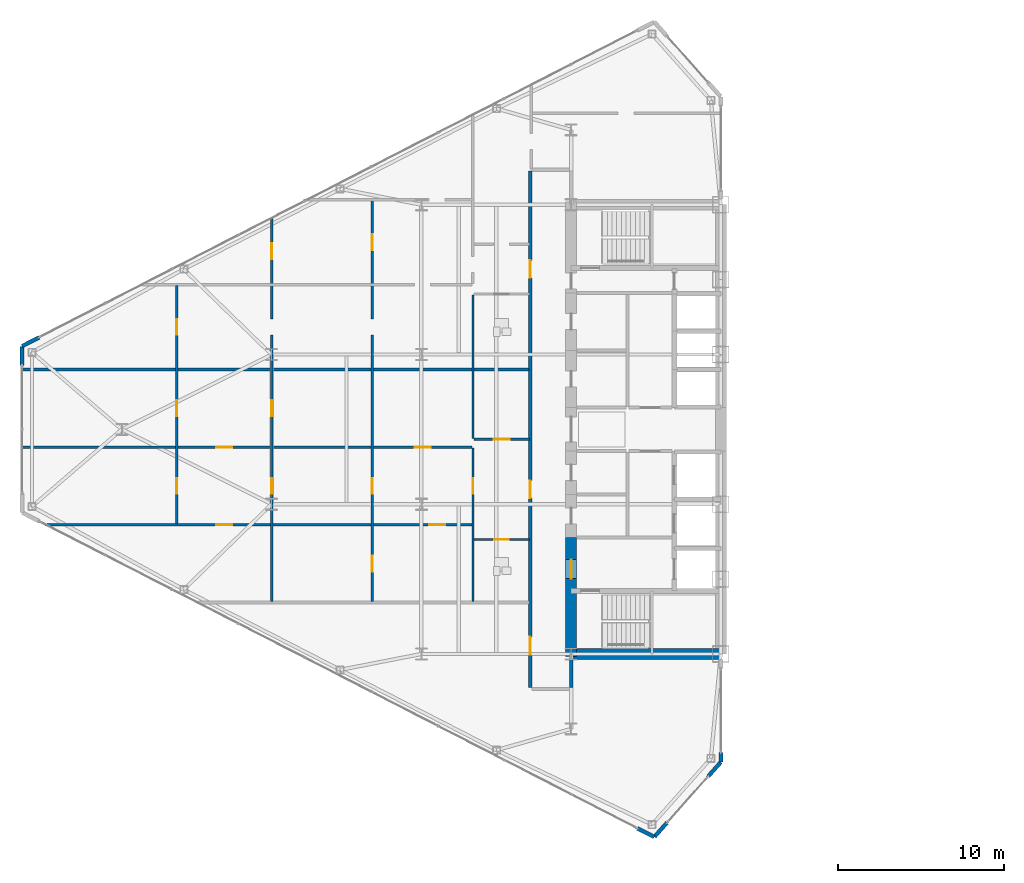
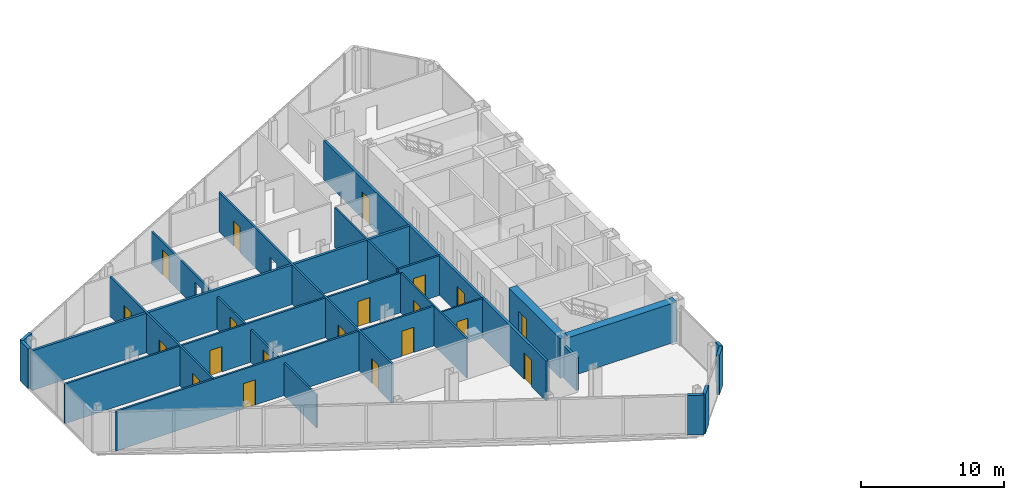
# One storey, part 16 of 24: 20 doors, 20 walls, 22 openings.
"""IFC4 building model written with IfcOpenShell, lengths in metres."""

from ifc_helpers import new_model, si_unit, direction, frame, frame_2d, origin, place, context, subcontext, project, spatial, rectangle, extrude, source, transform, mapped, material, layer, layer_set, type_object, type_shapes, element, fill, save


model = new_model("IFC4")

# Units and contexts
model_context = context("Model", 3, precision=1e-05, world=origin(), true_north=direction((0.0, 1.0)))
body_context = subcontext(model_context, "Body", "Model", "MODEL_VIEW")
ifc_project = project(units=[si_unit("LENGTHUNIT", "METRE"), si_unit("AREAUNIT", "SQUARE_METRE"), si_unit("VOLUMEUNIT", "CUBIC_METRE"), si_unit("PLANEANGLEUNIT", "RADIAN"), si_unit("MASSUNIT", "GRAM", prefix="KILO")], contexts=[model_context])

# Site, building, storey
site_placement = place(None, origin())
site = spatial("IfcSite", under=ifc_project, at=site_placement, CompositionType="ELEMENT")
building_placement = place(site_placement, origin())
building = spatial("IfcBuilding", under=site, at=building_placement, Name="Seokmaru Belvedere", CompositionType="ELEMENT")
storey_placement = place(building_placement, frame((0.0, 0.0, 117.60009765625)))
storey = spatial("IfcBuildingStorey", under=building, at=storey_placement, Name="L31", CompositionType="ELEMENT", Elevation=117.60009765625)

# Wall, openings, doors
ifc_material_1 = material(Name="Fire-Rated Gypsum Shaftwall")
ifc_layer_1 = layer(ifc_material_1, 0.14990234375)
ifc_layer_set_1 = layer_set([ifc_layer_1], Name="Fire-Rated Gypsum Shaftwall")
wall_type_1 = type_object("IfcWallType", Name="Apartment Fire-Acoustic Room Partition 150", PredefinedType="PARTITIONING", material=ifc_layer_set_1)
wall_1_placement = place(storey_placement, frame((-68.10595703125, -5.72998046875, 0.0), z_axis=(0.0, 0.0, 1.0), x_axis=(1.0, 0.0, 0.0)))
wall_1 = element("IfcWall", 1, at=wall_1_placement, inside=storey, type_object=wall_type_1, Name="L31 Interior Partition 010", PredefinedType="PARTITIONING", context=body_context, shape_type="SweptSolid", body=[
    extrude(rectangle(XDim=25.656005859375, YDim=0.14990234375, at=frame_2d((12.828125, 0.0))), origin(), (0.0, 0.0, 1.0), 3.3798828125),
])
opening_1_placement = place(wall_1_placement, frame((23.079345703125, 0.0, 0.0)))
opening_1 = element("IfcOpeningElement", 2, at=opening_1_placement, cuts=wall_1, Name="Opening D05", PredefinedType="OPENING", context=body_context, shape_type="SweptSolid", body=[
    extrude(rectangle(XDim=0.949951171875, YDim=2.14990234375, at=frame_2d((0.47509765625, 1.074951171875))), frame((0.0, 0.0849609375, 0.0), z_axis=(0.0, -1.0, 0.0), x_axis=(1.0, 0.0, 0.0)), (0.0, 0.0, 1.0), 0.169921875),
])
opening_2_placement = place(wall_1_placement, frame((10.281005859375, 0.0, 0.0)))
opening_2 = element("IfcOpeningElement", 3, at=opening_2_placement, cuts=wall_1, Name="Opening D05", PredefinedType="OPENING", context=body_context, shape_type="SweptSolid", body=[
    extrude(rectangle(XDim=0.949951171875, YDim=2.14990234375, at=frame_2d((0.47509765625, 1.074951171875))), frame((0.0, 0.0849609375, 0.0), z_axis=(0.0, -1.0, 0.0), x_axis=(1.0, 0.0, 0.0)), (0.0, 0.0, 1.0), 0.169921875),
])
ifc_material_2 = material(Name="Engineered White Oak Timber", Category="wood")
door_type_1 = type_object("IfcDoorType", Name="Apartment Interior Fire-Rated Oak Door 950x2150", OperationType="NOTDEFINED", PredefinedType="DOOR", material=ifc_material_2)
shared_shape_1 = source(origin(), body_context, "Body", "SweptSolid", [
    extrude(rectangle(XDim=0.949951171875, YDim=2.14990234375, at=frame_2d((0.47509765625, 1.074951171875))), frame((0.0, 0.02490234375, 0.0), z_axis=(0.0, -1.0, 0.0), x_axis=(1.0, 0.0, 0.0)), (0.0, 0.0, 1.0), 0.050048828125),
])
type_shapes(door_type_1, [shared_shape_1])
door_1_placement = place(opening_1_placement, origin())
door_1 = element("IfcDoor", 4, at=door_1_placement, inside=storey, type_object=door_type_1, Name="L31 Interior Door 006", OperationType="SINGLE_SWING_RIGHT", OverallHeight=2.14990234375, OverallWidth=0.949951171875, PredefinedType="DOOR", context=body_context, shape_type="MappedRepresentation", body=[
    mapped(shared_shape_1, transform((0.0, 0.0, 0.0), scale=1.0)),
])
fill(opening_1, door_1)
door_2_placement = place(opening_2_placement, origin())
door_2 = element("IfcDoor", 5, at=door_2_placement, inside=storey, type_object=door_type_1, Name="L31 Interior Door 010", OperationType="SINGLE_SWING_LEFT", OverallHeight=2.14990234375, OverallWidth=0.949951171875, PredefinedType="DOOR", context=body_context, shape_type="MappedRepresentation", body=[
    mapped(shared_shape_1, transform((0.0, 0.0, 0.0), scale=1.0)),
])
fill(opening_2, door_2)

wall_2_placement = place(storey_placement, frame((-69.534912109375, -1.070068359375, 0.0), z_axis=(0.0, 0.0, 1.0), x_axis=(1.0, 0.0, 0.0)))
wall_2 = element("IfcWall", 6, at=wall_2_placement, inside=storey, type_object=wall_type_1, Name="L31 Interior Partition 012", PredefinedType="PARTITIONING", context=body_context, shape_type="SweptSolid", body=[
    extrude(rectangle(XDim=27.0849609375, YDim=0.14990234375, at=frame_2d((13.54248046875, 0.0))), origin(), (0.0, 0.0, 1.0), 3.3798828125),
])
opening_3_placement = place(wall_2_placement, frame((23.635009765625, 0.0, 0.0)))
opening_3 = element("IfcOpeningElement", 7, at=opening_3_placement, cuts=wall_2, Name="Opening D05", PredefinedType="OPENING", context=body_context, shape_type="SweptSolid", body=[
    extrude(rectangle(XDim=0.949951171875, YDim=2.14990234375, at=frame_2d((0.47509765625, 1.074951171875))), frame((0.0, 0.0849609375, 0.0), z_axis=(0.0, -1.0, 0.0), x_axis=(1.0, 0.0, 0.0)), (0.0, 0.0, 1.0), 0.169921875),
])
opening_4_placement = place(wall_2_placement, frame((11.7099609375, 0.0, 0.0)))
opening_4 = element("IfcOpeningElement", 8, at=opening_4_placement, cuts=wall_2, Name="Opening D05", PredefinedType="OPENING", context=body_context, shape_type="SweptSolid", body=[
    extrude(rectangle(XDim=0.949951171875, YDim=2.14990234375, at=frame_2d((0.47509765625, 1.074951171875))), frame((0.0, 0.0849609375, 0.0), z_axis=(0.0, -1.0, 0.0), x_axis=(1.0, 0.0, 0.0)), (0.0, 0.0, 1.0), 0.169921875),
])
door_3_placement = place(opening_3_placement, origin())
door_3 = element("IfcDoor", 9, at=door_3_placement, inside=storey, type_object=door_type_1, Name="L31 Interior Door 008", OperationType="SINGLE_SWING_LEFT", OverallHeight=2.14990234375, OverallWidth=0.949951171875, PredefinedType="DOOR", context=body_context, shape_type="MappedRepresentation", body=[
    mapped(shared_shape_1, transform((0.0, 0.0, 0.0), scale=1.0)),
])
fill(opening_3, door_3)
door_4_placement = place(opening_4_placement, origin())
door_4 = element("IfcDoor", 10, at=door_4_placement, inside=storey, type_object=door_type_1, Name="L31 Interior Door 012", OperationType="SINGLE_SWING_LEFT", OverallHeight=2.14990234375, OverallWidth=0.949951171875, PredefinedType="DOOR", context=body_context, shape_type="MappedRepresentation", body=[
    mapped(shared_shape_1, transform((0.0, 0.0, 0.0), scale=1.0)),
])
fill(opening_4, door_4)

# Wall, opening, door
wall_3_placement = place(storey_placement, frame((-42.35009765625, -0.60009765625, 0.0), z_axis=(0.0, 0.0, 1.0), x_axis=(1.0, 0.0, 0.0)))
wall_3 = element("IfcWall", 11, at=wall_3_placement, inside=storey, type_object=wall_type_1, Name="L31 Interior Partition 013", PredefinedType="PARTITIONING", context=body_context, shape_type="SweptSolid", body=[
    extrude(rectangle(XDim=3.35009765625, YDim=0.14990234375, at=frame_2d((1.675048828125, 0.0))), origin(), (0.0, 0.0, 1.0), 3.3798828125),
])
opening_5_placement = place(wall_3_placement, frame((1.199951171875, 0.0, 0.0)))
opening_5 = element("IfcOpeningElement", 12, at=opening_5_placement, cuts=wall_3, Name="Opening D05", PredefinedType="OPENING", context=body_context, shape_type="SweptSolid", body=[
    extrude(rectangle(XDim=0.949951171875, YDim=2.14990234375, at=frame_2d((0.47509765625, 1.074951171875))), frame((0.0, 0.0849609375, 0.0), z_axis=(0.0, -1.0, 0.0), x_axis=(1.0, 0.0, 0.0)), (0.0, 0.0, 1.0), 0.169921875),
])
door_5_placement = place(opening_5_placement, origin())
door_5 = element("IfcDoor", 13, at=door_5_placement, inside=storey, type_object=door_type_1, Name="L31 Interior Door 004", OperationType="SINGLE_SWING_LEFT", OverallHeight=2.14990234375, OverallWidth=0.949951171875, PredefinedType="DOOR", context=body_context, shape_type="MappedRepresentation", body=[
    mapped(shared_shape_1, transform((0.0, 0.0, 0.0), scale=1.0)),
])
fill(opening_5, door_5)

# Wall, openings, doors
wall_4_placement = place(storey_placement, frame((-60.199951171875, -5.68310546875, 0.0), z_axis=(0.0, 0.0, 1.0), x_axis=(0.0, 1.0, 0.0)))
wall_4 = element("IfcWall", 14, at=wall_4_placement, inside=storey, type_object=wall_type_1, Name="L31 Interior Partition 027", PredefinedType="PARTITIONING", context=body_context, shape_type="SweptSolid", body=[
    extrude(rectangle(XDim=14.335205078125, YDim=0.14990234375, at=frame_2d((7.16748046875, 0.0))), origin(), (0.0, 0.0, 1.0), 3.3798828125),
])
opening_6_placement = place(wall_4_placement, frame((1.80810546875, 0.0, 0.0)))
opening_6 = element("IfcOpeningElement", 15, at=opening_6_placement, cuts=wall_4, Name="Opening D05", PredefinedType="OPENING", context=body_context, shape_type="SweptSolid", body=[
    extrude(rectangle(XDim=0.949951171875, YDim=2.14990234375, at=frame_2d((0.47509765625, 1.074951171875))), frame((0.0, 0.0849609375, 0.0), z_axis=(0.0, -1.0, 0.0), x_axis=(1.0, 0.0, 0.0)), (0.0, 0.0, 1.0), 0.169921875),
])
opening_7_placement = place(wall_4_placement, frame((6.474609375, 0.0, 0.0)))
opening_7 = element("IfcOpeningElement", 16, at=opening_7_placement, cuts=wall_4, Name="Opening D05", PredefinedType="OPENING", context=body_context, shape_type="SweptSolid", body=[
    extrude(rectangle(XDim=0.949951171875, YDim=2.14990234375, at=frame_2d((0.47509765625, 1.074951171875))), frame((0.0, 0.0849609375, 0.0), z_axis=(0.0, -1.0, 0.0), x_axis=(1.0, 0.0, 0.0)), (0.0, 0.0, 1.0), 0.169921875),
])
opening_8_placement = place(wall_4_placement, frame((11.359130859375, 0.0, 0.0)))
opening_8 = element("IfcOpeningElement", 17, at=opening_8_placement, cuts=wall_4, Name="Opening D05", PredefinedType="OPENING", context=body_context, shape_type="SweptSolid", body=[
    extrude(rectangle(XDim=0.949951171875, YDim=2.14990234375, at=frame_2d((0.47509765625, 1.074951171875))), frame((0.0, 0.0849609375, 0.0), z_axis=(0.0, -1.0, 0.0), x_axis=(1.0, 0.0, 0.0)), (0.0, 0.0, 1.0), 0.169921875),
])
door_6_placement = place(opening_6_placement, origin())
door_6 = element("IfcDoor", 18, at=door_6_placement, inside=storey, type_object=door_type_1, Name="L31 Interior Door 011", OperationType="SINGLE_SWING_RIGHT", OverallHeight=2.14990234375, OverallWidth=0.949951171875, PredefinedType="DOOR", context=body_context, shape_type="MappedRepresentation", body=[
    mapped(shared_shape_1, transform((0.0, 0.0, 0.0), scale=1.0)),
])
fill(opening_6, door_6)
door_7_placement = place(opening_7_placement, origin())
door_7 = element("IfcDoor", 19, at=door_7_placement, inside=storey, type_object=door_type_1, Name="L31 Interior Door 013", OperationType="SINGLE_SWING_RIGHT", OverallHeight=2.14990234375, OverallWidth=0.949951171875, PredefinedType="DOOR", context=body_context, shape_type="MappedRepresentation", body=[
    mapped(shared_shape_1, transform((0.0, 0.0, 0.0), scale=1.0)),
])
fill(opening_7, door_7)
door_8_placement = place(opening_8_placement, origin())
door_8 = element("IfcDoor", 20, at=door_8_placement, inside=storey, type_object=door_type_1, Name="L31 Interior Door 026", OperationType="SINGLE_SWING_RIGHT", OverallHeight=2.14990234375, OverallWidth=0.949951171875, PredefinedType="DOOR", context=body_context, shape_type="MappedRepresentation", body=[
    mapped(shared_shape_1, transform((0.0, 0.0, 0.0), scale=1.0)),
])
fill(opening_8, door_8)

wall_5_placement = place(storey_placement, frame((-54.5, -10.35009765625, 0.0), z_axis=(0.0, 0.0, 1.0), x_axis=(0.0, 1.0, 0.0)))
wall_5 = element("IfcWall", 21, at=wall_5_placement, inside=storey, type_object=wall_type_1, Name="L31 Interior Partition 028", PredefinedType="PARTITIONING", context=body_context, shape_type="SweptSolid", body=[
    extrude(rectangle(XDim=23.08203125, YDim=0.14990234375, at=frame_2d((11.541015625, 0.0))), origin(), (0.0, 0.0, 1.0), 2.77978515625),
])
opening_9_placement = place(wall_5_placement, frame((6.47509765625, 0.0, 0.0)))
opening_9 = element("IfcOpeningElement", 22, at=opening_9_placement, cuts=wall_5, Name="Opening D05", PredefinedType="OPENING", context=body_context, shape_type="SweptSolid", body=[
    extrude(rectangle(XDim=0.949951171875, YDim=2.14990234375, at=frame_2d((0.47509765625, 1.074951171875))), frame((0.0, 0.0849609375, 0.0), z_axis=(0.0, -1.0, 0.0), x_axis=(1.0, 0.0, 0.0)), (0.0, 0.0, 1.0), 0.169921875),
])
opening_10_placement = place(wall_5_placement, frame((11.1416015625, 0.0, 0.0)))
opening_10 = element("IfcOpeningElement", 23, at=opening_10_placement, cuts=wall_5, Name="Opening D05", PredefinedType="OPENING", context=body_context, shape_type="SweptSolid", body=[
    extrude(rectangle(XDim=0.949951171875, YDim=2.14990234375, at=frame_2d((0.47509765625, 1.074951171875))), frame((0.0, 0.0849609375, 0.0), z_axis=(0.0, -1.0, 0.0), x_axis=(1.0, 0.0, 0.0)), (0.0, 0.0, 1.0), 0.169921875),
])
opening_11_placement = place(wall_5_placement, frame((20.57470703125, 0.0, 0.0)))
opening_11 = element("IfcOpeningElement", 24, at=opening_11_placement, cuts=wall_5, Name="Opening D05", PredefinedType="OPENING", context=body_context, shape_type="SweptSolid", body=[
    extrude(rectangle(XDim=0.949951171875, YDim=2.14990234375, at=frame_2d((0.47509765625, 1.074951171875))), frame((0.0, 0.0849609375, 0.0), z_axis=(0.0, -1.0, 0.0), x_axis=(1.0, 0.0, 0.0)), (0.0, 0.0, 1.0), 0.169921875),
])
opening_12_placement = place(wall_5_placement, frame((16.026123046875, 0.0, 0.0)))
element("IfcOpeningElement", 25, at=opening_12_placement, cuts=wall_5, Name="L31 Cased Opening 025", PredefinedType="OPENING", context=body_context, shape_type="SweptSolid", body=[
    extrude(rectangle(XDim=0.949951171875, YDim=2.14990234375, at=frame_2d((0.47509765625, 1.074951171875))), frame((0.0, 0.0849609375, 0.0), z_axis=(0.0, -1.0, 0.0), x_axis=(1.0, 0.0, 0.0)), (0.0, 0.0, 1.0), 0.169921875),
])
door_9_placement = place(opening_9_placement, origin())
door_9 = element("IfcDoor", 26, at=door_9_placement, inside=storey, type_object=door_type_1, Name="L31 Interior Door 009", OperationType="SINGLE_SWING_RIGHT", OverallHeight=2.14990234375, OverallWidth=0.949951171875, PredefinedType="DOOR", context=body_context, shape_type="MappedRepresentation", body=[
    mapped(shared_shape_1, transform((0.0, 0.0, 0.0), scale=1.0)),
])
fill(opening_9, door_9)
door_10_placement = place(opening_10_placement, origin())
door_10 = element("IfcDoor", 27, at=door_10_placement, inside=storey, type_object=door_type_1, Name="L31 Interior Door 015", OperationType="SINGLE_SWING_LEFT", OverallHeight=2.14990234375, OverallWidth=0.949951171875, PredefinedType="DOOR", context=body_context, shape_type="MappedRepresentation", body=[
    mapped(shared_shape_1, transform((0.0, 0.0, 0.0), scale=1.0)),
])
fill(opening_10, door_10)
door_11_placement = place(opening_11_placement, origin())
door_11 = element("IfcDoor", 28, at=door_11_placement, inside=storey, type_object=door_type_1, Name="L31 Interior Door 023", OperationType="SINGLE_SWING_RIGHT", OverallHeight=2.14990234375, OverallWidth=0.949951171875, PredefinedType="DOOR", context=body_context, shape_type="MappedRepresentation", body=[
    mapped(shared_shape_1, transform((0.0, 0.0, 0.0), scale=1.0)),
])
fill(opening_11, door_11)

wall_6_placement = place(storey_placement, frame((-48.449951171875, -10.35009765625, 0.0), z_axis=(0.0, 0.0, 1.0), x_axis=(0.0, 1.0, 0.0)))
wall_6 = element("IfcWall", 29, at=wall_6_placement, inside=storey, type_object=wall_type_1, Name="L31 Interior Partition 029", PredefinedType="PARTITIONING", context=body_context, shape_type="SweptSolid", body=[
    extrude(rectangle(XDim=24.10400390625, YDim=0.14990234375, at=frame_2d((12.052001953125, 0.0))), origin(), (0.0, 0.0, 1.0), 3.3798828125),
])
opening_13_placement = place(wall_6_placement, frame((6.47509765625, 0.0, 0.0)))
opening_13 = element("IfcOpeningElement", 30, at=opening_13_placement, cuts=wall_6, Name="Opening D05", PredefinedType="OPENING", context=body_context, shape_type="SweptSolid", body=[
    extrude(rectangle(XDim=0.949951171875, YDim=2.14990234375, at=frame_2d((0.47509765625, 1.074951171875))), frame((0.0, 0.0849609375, 0.0), z_axis=(0.0, -1.0, 0.0), x_axis=(1.0, 0.0, 0.0)), (0.0, 0.0, 1.0), 0.169921875),
])
opening_14_placement = place(wall_6_placement, frame((1.808349609375, 0.0, 0.0)))
opening_14 = element("IfcOpeningElement", 31, at=opening_14_placement, cuts=wall_6, Name="Opening D05", PredefinedType="OPENING", context=body_context, shape_type="SweptSolid", body=[
    extrude(rectangle(XDim=0.949951171875, YDim=2.14990234375, at=frame_2d((0.47509765625, 1.074951171875))), frame((0.0, 0.0849609375, 0.0), z_axis=(0.0, -1.0, 0.0), x_axis=(1.0, 0.0, 0.0)), (0.0, 0.0, 1.0), 0.169921875),
])
opening_15_placement = place(wall_6_placement, frame((21.12841796875, 0.0, 0.0)))
opening_15 = element("IfcOpeningElement", 32, at=opening_15_placement, cuts=wall_6, Name="Opening D05", PredefinedType="OPENING", context=body_context, shape_type="SweptSolid", body=[
    extrude(rectangle(XDim=0.949951171875, YDim=2.14990234375, at=frame_2d((0.47509765625, 1.074951171875))), frame((0.0, 0.0849609375, 0.0), z_axis=(0.0, -1.0, 0.0), x_axis=(1.0, 0.0, 0.0)), (0.0, 0.0, 1.0), 0.169921875),
])
opening_16_placement = place(wall_6_placement, frame((16.026123046875, 0.0, 0.0)))
element("IfcOpeningElement", 33, at=opening_16_placement, cuts=wall_6, Name="L31 Cased Opening 024", PredefinedType="OPENING", context=body_context, shape_type="SweptSolid", body=[
    extrude(rectangle(XDim=0.949951171875, YDim=2.14990234375, at=frame_2d((0.47509765625, 1.074951171875))), frame((0.0, 0.0849609375, 0.0), z_axis=(0.0, -1.0, 0.0), x_axis=(1.0, 0.0, 0.0)), (0.0, 0.0, 1.0), 0.169921875),
])
door_12_placement = place(opening_13_placement, origin())
door_12 = element("IfcDoor", 34, at=door_12_placement, inside=storey, type_object=door_type_1, Name="L31 Interior Door 007", OperationType="SINGLE_SWING_LEFT", OverallHeight=2.14990234375, OverallWidth=0.949951171875, PredefinedType="DOOR", context=body_context, shape_type="MappedRepresentation", body=[
    mapped(shared_shape_1, transform((0.0, 0.0, 0.0), scale=1.0)),
])
fill(opening_13, door_12)
door_13_placement = place(opening_14_placement, origin())
door_13 = element("IfcDoor", 35, at=door_13_placement, inside=storey, type_object=door_type_1, Name="L31 Interior Door 014", OperationType="SINGLE_SWING_RIGHT", OverallHeight=2.14990234375, OverallWidth=0.949951171875, PredefinedType="DOOR", context=body_context, shape_type="MappedRepresentation", body=[
    mapped(shared_shape_1, transform((0.0, 0.0, 0.0), scale=1.0)),
])
fill(opening_14, door_13)
door_14_placement = place(opening_15_placement, origin())
door_14 = element("IfcDoor", 36, at=door_14_placement, inside=storey, type_object=door_type_1, Name="L31 Interior Door 021", OperationType="SINGLE_SWING_LEFT", OverallHeight=2.14990234375, OverallWidth=0.949951171875, PredefinedType="DOOR", context=body_context, shape_type="MappedRepresentation", body=[
    mapped(shared_shape_1, transform((0.0, 0.0, 0.0), scale=1.0)),
])
fill(opening_15, door_14)

# Wall
ifc_layer_2 = layer(ifc_material_1, 0.199951171875)
ifc_layer_set_2 = layer_set([ifc_layer_2], Name="Fire-Rated Gypsum Shaftwall")
wall_type_2 = type_object("IfcWallType", Name="Inter-Tenancy Fire Compartment Partition 200", PredefinedType="PARTITIONING", material=ifc_layer_set_2)
wall_7_placement = place(storey_placement, frame((-69.5048828125, 3.60009765625, 0.0), z_axis=(0.0, 0.0, 1.0), x_axis=(1.0, 0.0, 0.0)))
element("IfcWall", 37, at=wall_7_placement, inside=storey, type_object=wall_type_2, Name="L31 Interior Partition 016", PredefinedType="PARTITIONING", context=body_context, shape_type="SweptSolid", body=[
    extrude(rectangle(XDim=30.474853515625, YDim=0.199951171875, at=frame_2d((15.2373046875, 0.0))), origin(), (0.0, 0.0, 1.0), 3.3798828125),
])

# Wall, openings, doors
wall_8_placement = place(storey_placement, frame((-38.949951171875, -15.514892578125, 0.0), z_axis=(0.0, 0.0, 1.0), x_axis=(0.0, 1.0, 0.0)))
wall_8 = element("IfcWall", 38, at=wall_8_placement, inside=storey, type_object=wall_type_2, Name="L31 Interior Partition 033", PredefinedType="PARTITIONING", context=body_context, shape_type="SweptSolid", body=[
    extrude(rectangle(XDim=31.02978515625, YDim=0.199951171875, at=frame_2d((15.514892578125, 0.0))), origin(), (0.0, 0.0, 1.0), 3.3798828125),
])
opening_17_placement = place(wall_8_placement, frame((1.989990234375, 0.0, 0.0)))
opening_17 = element("IfcOpeningElement", 39, at=opening_17_placement, cuts=wall_8, Name="Opening D03", PredefinedType="OPENING", context=body_context, shape_type="SweptSolid", body=[
    extrude(rectangle(XDim=1.050048828125, YDim=2.25, at=frame_2d((0.52490234375, 1.125))), frame((0.0, 0.10986328125, 0.0), z_axis=(0.0, -1.0, 0.0), x_axis=(1.0, 0.0, 0.0)), (0.0, 0.0, 1.0), 0.219970703125),
])
opening_18_placement = place(wall_8_placement, frame((11.3798828125, 0.0, 0.0)))
opening_18 = element("IfcOpeningElement", 40, at=opening_18_placement, cuts=wall_8, Name="Opening D03", PredefinedType="OPENING", context=body_context, shape_type="SweptSolid", body=[
    extrude(rectangle(XDim=1.050048828125, YDim=2.25, at=frame_2d((0.52490234375, 1.125))), frame((0.0, 0.10986328125, 0.0), z_axis=(0.0, -1.0, 0.0), x_axis=(1.0, 0.0, 0.0)), (0.0, 0.0, 1.0), 0.219970703125),
])
opening_19_placement = place(wall_8_placement, frame((24.617431640625, 0.0, 0.0)))
opening_19 = element("IfcOpeningElement", 41, at=opening_19_placement, cuts=wall_8, Name="Opening D03", PredefinedType="OPENING", context=body_context, shape_type="SweptSolid", body=[
    extrude(rectangle(XDim=1.050048828125, YDim=2.25, at=frame_2d((0.52490234375, 1.125))), frame((0.0, 0.10986328125, 0.0), z_axis=(0.0, -1.0, 0.0), x_axis=(1.0, 0.0, 0.0)), (0.0, 0.0, 1.0), 0.219970703125),
])
ifc_material_3 = material(Name="Fire-Rated Steel Leaf", Category="steel")
door_type_2 = type_object("IfcDoorType", Name="Apartment Entrance Fire Door 1050x2250", OperationType="NOTDEFINED", PredefinedType="DOOR", material=ifc_material_3)
shared_shape_2 = source(origin(), body_context, "Body", "SweptSolid", [
    extrude(rectangle(XDim=1.050048828125, YDim=2.25, at=frame_2d((0.52490234375, 1.125))), frame((0.0, 0.02490234375, 0.0), z_axis=(0.0, -1.0, 0.0), x_axis=(1.0, 0.0, 0.0)), (0.0, 0.0, 1.0), 0.050048828125),
])
type_shapes(door_type_2, [shared_shape_2])
door_15_placement = place(opening_17_placement, origin())
door_15 = element("IfcDoor", 42, at=door_15_placement, inside=storey, type_object=door_type_2, Name="L31 Interior Door 001", OperationType="SINGLE_SWING_RIGHT", OverallHeight=2.25, OverallWidth=1.050048828125, PredefinedType="DOOR", context=body_context, shape_type="MappedRepresentation", body=[
    mapped(shared_shape_2, transform((0.0, 0.0, 0.0), scale=1.0)),
])
fill(opening_17, door_15)
door_16_placement = place(opening_18_placement, origin())
door_16 = element("IfcDoor", 43, at=door_16_placement, inside=storey, type_object=door_type_2, Name="L31 Interior Door 002", OperationType="SINGLE_SWING_LEFT", OverallHeight=2.25, OverallWidth=1.050048828125, PredefinedType="DOOR", context=body_context, shape_type="MappedRepresentation", body=[
    mapped(shared_shape_2, transform((0.0, 0.0, 0.0), scale=1.0)),
])
fill(opening_18, door_16)
door_17_placement = place(opening_19_placement, origin())
door_17 = element("IfcDoor", 44, at=door_17_placement, inside=storey, type_object=door_type_2, Name="L31 Interior Door 016", OperationType="SINGLE_SWING_RIGHT", OverallHeight=2.25, OverallWidth=1.050048828125, PredefinedType="DOOR", context=body_context, shape_type="MappedRepresentation", body=[
    mapped(shared_shape_2, transform((0.0, 0.0, 0.0), scale=1.0)),
])
fill(opening_19, door_17)

# Walls
wall_9_placement = place(storey_placement, frame((-36.5, -15.514892578125, 0.0), z_axis=(0.0, 0.0, 1.0), x_axis=(0.0, 1.0, 0.0)))
element("IfcWall", 45, at=wall_9_placement, inside=storey, type_object=wall_type_2, Name="L31 Interior Partition 035", PredefinedType="PARTITIONING", context=body_context, shape_type="SweptSolid", body=[
    extrude(rectangle(XDim=1.684814453125, YDim=0.199951171875, at=frame_2d((0.84228515625, 0.0))), origin(), (0.0, 0.0, 1.0), 2.77978515625),
])
ifc_material_4 = material(Name="Concrete C60 (60 MPa)", Category="concrete")
ifc_layer_3 = layer(ifc_material_4, 0.64990234375)
ifc_layer_set_3 = layer_set([ifc_layer_3], Name="Concrete C60 (60 MPa)")
wall_type_3 = type_object("IfcWallType", Name="Mid-Low Reinforced Concrete Core Wall 650", PredefinedType="SHEAR", material=ifc_layer_set_3)
wall_10_placement = place(storey_placement, frame((-36.5, -13.5, 0.0), z_axis=(0.0, 0.0, 1.0), x_axis=(1.0, 0.0, 0.0)))
element("IfcWall", 46, at=wall_10_placement, inside=storey, type_object=wall_type_3, Name="L31 West South Core Wall", PredefinedType="SHEAR", context=body_context, shape_type="SweptSolid", body=[
    extrude(rectangle(XDim=9.0, YDim=0.64990234375, at=frame_2d((4.5, 0.0))), origin(), (0.0, 0.0, 1.0), 3.3798828125),
])

# Wall, opening, door
wall_11_placement = place(storey_placement, frame((-36.5, -13.64990234375, 0.0), z_axis=(0.0, 0.0, 1.0), x_axis=(0.0, 1.0, 0.0)))
wall_11 = element("IfcWall", 47, at=wall_11_placement, inside=storey, type_object=wall_type_3, Name="L31 West West Core Wall FF", PredefinedType="SHEAR", context=body_context, shape_type="SweptSolid", body=[
    extrude(rectangle(XDim=7.14990234375, YDim=0.64990234375, at=frame_2d((3.574951171875, 0.0))), origin(), (0.0, 0.0, 1.0), 3.3798828125),
])
opening_20_placement = place(wall_11_placement, frame((4.675048828125, 0.0, 0.0)))
opening_20 = element("IfcOpeningElement", 48, at=opening_20_placement, cuts=wall_11, Name="Opening D02", PredefinedType="OPENING", context=body_context, shape_type="SweptSolid", body=[
    extrude(rectangle(XDim=1.14990234375, YDim=2.199951171875, at=frame_2d((0.574951171875, 1.10009765625))), frame((0.0, 0.3349609375, 0.0), z_axis=(0.0, -1.0, 0.0), x_axis=(1.0, 0.0, 0.0)), (0.0, 0.0, 1.0), 0.669921875),
])
door_type_3 = type_object("IfcDoorType", Name="Lobby and Vestibule Fire Door 1150x2200", OperationType="NOTDEFINED", PredefinedType="DOOR", material=ifc_material_3)
shared_shape_3 = source(origin(), body_context, "Body", "SweptSolid", [
    extrude(rectangle(XDim=1.14990234375, YDim=2.199951171875, at=frame_2d((0.574951171875, 1.10009765625))), frame((0.0, 0.02490234375, 0.0), z_axis=(0.0, -1.0, 0.0), x_axis=(1.0, 0.0, 0.0)), (0.0, 0.0, 1.0), 0.050048828125),
])
type_shapes(door_type_3, [shared_shape_3])
door_18_placement = place(opening_20_placement, frame((1.14990234375, 0.0, 0.0), z_axis=(0.0, 0.0, 1.0), x_axis=(-1.0, 0.0, 0.0)))
door_18 = element("IfcDoor", 49, at=door_18_placement, inside=storey, type_object=door_type_3, Name="L31 West Firefighting Lobby Door", OperationType="SINGLE_SWING_LEFT", OverallHeight=2.199951171875, OverallWidth=1.14990234375, PredefinedType="DOOR", context=body_context, shape_type="MappedRepresentation", body=[
    mapped(shared_shape_3, transform((0.0, 0.0, 0.0), scale=1.0)),
])
fill(opening_20, door_18)

ifc_layer_4 = layer(ifc_material_1, 0.1298828125)
ifc_layer_set_4 = layer_set([ifc_layer_4], Name="Fire-Rated Gypsum Shaftwall")
wall_type_4 = type_object("IfcWallType", Name="Moisture-Resistant Fire-Rated Bathroom Partition 130", PredefinedType="PARTITIONING", material=ifc_layer_set_4)
wall_12_placement = place(storey_placement, frame((-42.35009765625, -6.6201171875, 0.0), z_axis=(0.0, 0.0, 1.0), x_axis=(1.0, 0.0, 0.0)))
wall_12 = element("IfcWall", 50, at=wall_12_placement, inside=storey, type_object=wall_type_4, Name="L31 Interior Partition 009", PredefinedType="PARTITIONING", context=body_context, shape_type="SweptSolid", body=[
    extrude(rectangle(XDim=3.35009765625, YDim=0.1298828125, at=frame_2d((1.675048828125, 0.0))), origin(), (0.0, 0.0, 1.0), 3.3798828125),
])
opening_21_placement = place(wall_12_placement, frame((1.235107421875, 0.0, 0.0)))
opening_21 = element("IfcOpeningElement", 51, at=opening_21_placement, cuts=wall_12, Name="Opening D06", PredefinedType="OPENING", context=body_context, shape_type="SweptSolid", body=[
    extrude(rectangle(XDim=0.8798828125, YDim=2.10009765625, at=frame_2d((0.43994140625, 1.050048828125))), frame((0.0, 0.074951171875, 0.0), z_axis=(0.0, -1.0, 0.0), x_axis=(1.0, 0.0, 0.0)), (0.0, 0.0, 1.0), 0.14990234375),
])
door_type_4 = type_object("IfcDoorType", Name="Bathroom and Restroom Fire-Rated Door 880x2100", OperationType="NOTDEFINED", PredefinedType="DOOR", material=ifc_material_2)
shared_shape_4 = source(origin(), body_context, "Body", "SweptSolid", [
    extrude(rectangle(XDim=0.8798828125, YDim=2.10009765625, at=frame_2d((0.43994140625, 1.050048828125))), frame((0.0, 0.02490234375, 0.0), z_axis=(0.0, -1.0, 0.0), x_axis=(1.0, 0.0, 0.0)), (0.0, 0.0, 1.0), 0.050048828125),
])
type_shapes(door_type_4, [shared_shape_4])
door_19_placement = place(opening_21_placement, origin())
door_19 = element("IfcDoor", 52, at=door_19_placement, inside=storey, type_object=door_type_4, Name="L31 Interior Door 003", OperationType="SINGLE_SWING_LEFT", OverallHeight=2.10009765625, OverallWidth=0.8798828125, PredefinedType="DOOR", context=body_context, shape_type="MappedRepresentation", body=[
    mapped(shared_shape_4, transform((0.0, 0.0, 0.0), scale=1.0)),
])
fill(opening_21, door_19)

wall_13_placement = place(storey_placement, frame((-42.39990234375, -10.35009765625, 0.0), z_axis=(0.0, 0.0, 1.0), x_axis=(0.0, 1.0, 0.0)))
wall_13 = element("IfcWall", 53, at=wall_13_placement, inside=storey, type_object=wall_type_4, Name="L31 Interior Partition 030", PredefinedType="PARTITIONING", context=body_context, shape_type="SweptSolid", body=[
    extrude(rectangle(XDim=9.233154296875, YDim=0.1298828125, at=frame_2d((4.61669921875, 0.0))), origin(), (0.0, 0.0, 1.0), 3.3798828125),
])
opening_22_placement = place(wall_13_placement, frame((6.47509765625, 0.0, 0.0)))
opening_22 = element("IfcOpeningElement", 54, at=opening_22_placement, cuts=wall_13, Name="Opening D05", PredefinedType="OPENING", context=body_context, shape_type="SweptSolid", body=[
    extrude(rectangle(XDim=0.949951171875, YDim=2.14990234375, at=frame_2d((0.47509765625, 1.074951171875))), frame((0.0, 0.074951171875, 0.0), z_axis=(0.0, -1.0, 0.0), x_axis=(1.0, 0.0, 0.0)), (0.0, 0.0, 1.0), 0.14990234375),
])
door_20_placement = place(opening_22_placement, origin())
door_20 = element("IfcDoor", 55, at=door_20_placement, inside=storey, type_object=door_type_1, Name="L31 Interior Door 005", OperationType="SINGLE_SWING_RIGHT", OverallHeight=2.14990234375, OverallWidth=0.949951171875, PredefinedType="DOOR", context=body_context, shape_type="MappedRepresentation", body=[
    mapped(shared_shape_1, transform((0.0, 0.0, 0.0), scale=1.0)),
])
fill(opening_22, door_20)

# Walls
wall_14_placement = place(storey_placement, frame((-42.39990234375, -0.548095703125, 0.0), z_axis=(0.0, 0.0, 1.0), x_axis=(0.0, 1.0, 0.0)))
element("IfcWall", 56, at=wall_14_placement, inside=storey, type_object=wall_type_4, Name="L31 Interior Partition 031", PredefinedType="PARTITIONING", context=body_context, shape_type="SweptSolid", body=[
    extrude(rectangle(XDim=8.625, YDim=0.1298828125, at=frame_2d((4.3125, 0.0))), origin(), (0.0, 0.0, 1.0), 3.3798828125),
])
ifc_material_5 = material(Name="Anodised Bronze Aluminium", Category="aluminium")
ifc_layer_5 = layer(ifc_material_5, 0.239990234375)
ifc_layer_set_5 = layer_set([ifc_layer_5], Name="Anodised Bronze Aluminium")
wall_type_5 = type_object("IfcWallType", Name="Tower Corner Spandrel Closure Wall 240", PredefinedType="SOLIDWALL", material=ifc_layer_set_5)
wall_15_placement = place(storey_placement, frame((-27.5, -19.97998046875, 0.0), z_axis=(0.0, 0.0, 1.0), x_axis=(0.0, 1.0, 0.0)))
element("IfcWall", 57, at=wall_15_placement, inside=storey, type_object=wall_type_5, Name="L31 W Spine Closure Pier 1A", PredefinedType="SOLIDWALL", context=body_context, shape_type="SweptSolid", body=[
    extrude(rectangle(XDim=0.550048828125, YDim=0.239990234375, at=frame_2d((0.27490234375, 0.0))), origin(), (0.0, 0.0, 1.0), 3.3798828125),
])
wall_16_placement = place(storey_placement, frame((-68.476806640625, 5.52490234375, 0.0), z_axis=(0.0, 0.0, 1.0), x_axis=(-0.889797395748, -0.456355776255, 0.0)))
element("IfcWall", 58, at=wall_16_placement, inside=storey, type_object=wall_type_5, Name="L31 W Corner Closure Pier 3B", PredefinedType="SOLIDWALL", context=body_context, shape_type="SweptSolid", body=[
    extrude(rectangle(XDim=1.14013671875, YDim=0.239990234375, at=frame_2d((0.570068359375, 0.0))), origin(), (0.0, 0.0, 1.0), 3.3798828125),
])
wall_17_placement = place(storey_placement, frame((-69.5, 4.989990234375, 0.0), z_axis=(0.0, 0.0, 1.0), x_axis=(0.0, -1.0, 0.0)))
element("IfcWall", 59, at=wall_17_placement, inside=storey, type_object=wall_type_5, Name="L31 W Corner Closure Pier 4A", PredefinedType="SOLIDWALL", context=body_context, shape_type="SweptSolid", body=[
    extrude(rectangle(XDim=1.139892578125, YDim=0.239990234375, at=frame_2d((0.56982421875, 0.0))), origin(), (0.0, 0.0, 1.0), 3.3798828125),
])
wall_18_placement = place(storey_placement, frame((-32.523193359375, -23.97509765625, 0.0), z_axis=(0.0, 0.0, 1.0), x_axis=(0.889797395748, -0.456355776255, 0.0)))
element("IfcWall", 60, at=wall_18_placement, inside=storey, type_object=wall_type_5, Name="L31 W Corner Closure Pier 5B", PredefinedType="SOLIDWALL", context=body_context, shape_type="SweptSolid", body=[
    extrude(rectangle(XDim=1.14013671875, YDim=0.239990234375, at=frame_2d((0.570068359375, 0.0))), origin(), (0.0, 0.0, 1.0), 3.3798828125),
])
for number, where, z_axis, x_axis, name in (
    (61, (-31.493408203125, -24.492431640625, 0.0), (0.0, 0.0, 1.0), (0.664337252513, 0.747432950119, 0.0), "L31 W Corner Closure Pier 6A"),
    (62, (-28.263916015625, -20.859619140625, 0.0), (0.0, 0.0, 1.0), (0.664337252513, 0.747432950119, 0.0), "L31 W Corner Closure Pier 6B"),
):
    element("IfcWall", number, at=place(storey_placement, frame(where, z_axis=z_axis, x_axis=x_axis)), inside=storey, type_object=wall_type_5, Name=name, PredefinedType="SOLIDWALL", context=body_context, shape_type="SweptSolid", body=[
        extrude(rectangle(XDim=1.139892578125, YDim=0.239990234375, at=frame_2d((0.56982421875, 0.0))), origin(), (0.0, 0.0, 1.0), 3.3798828125),
    ])

save(model, "model.ifc")
